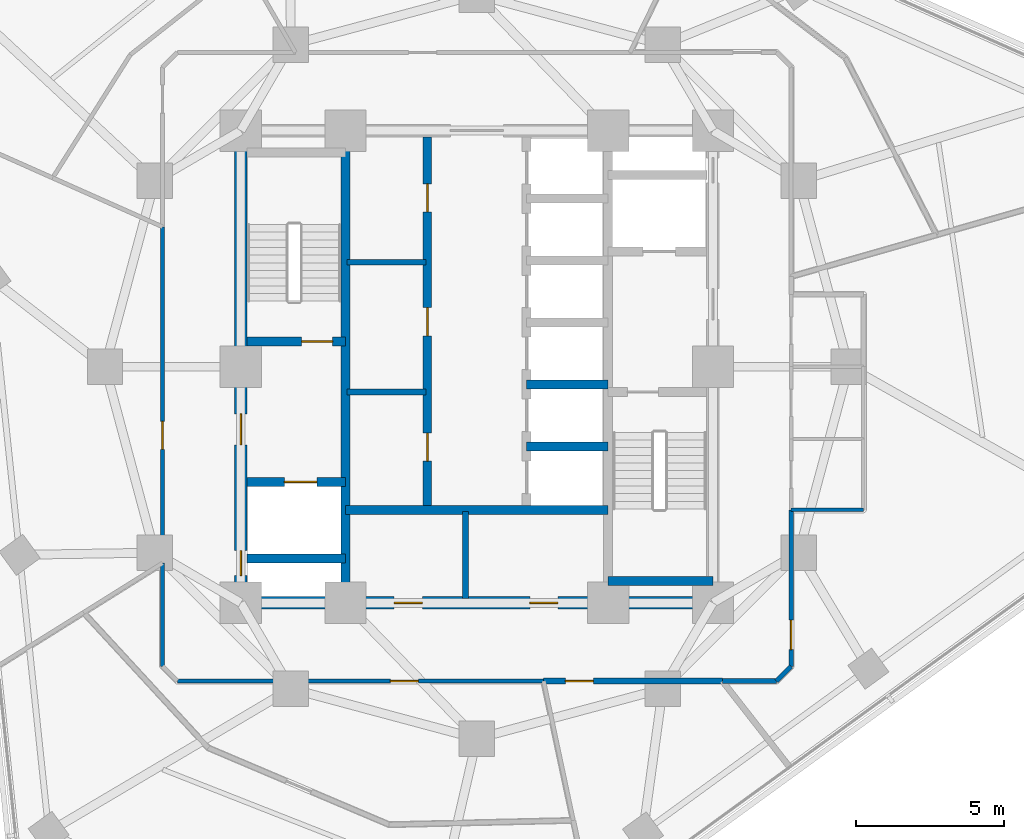
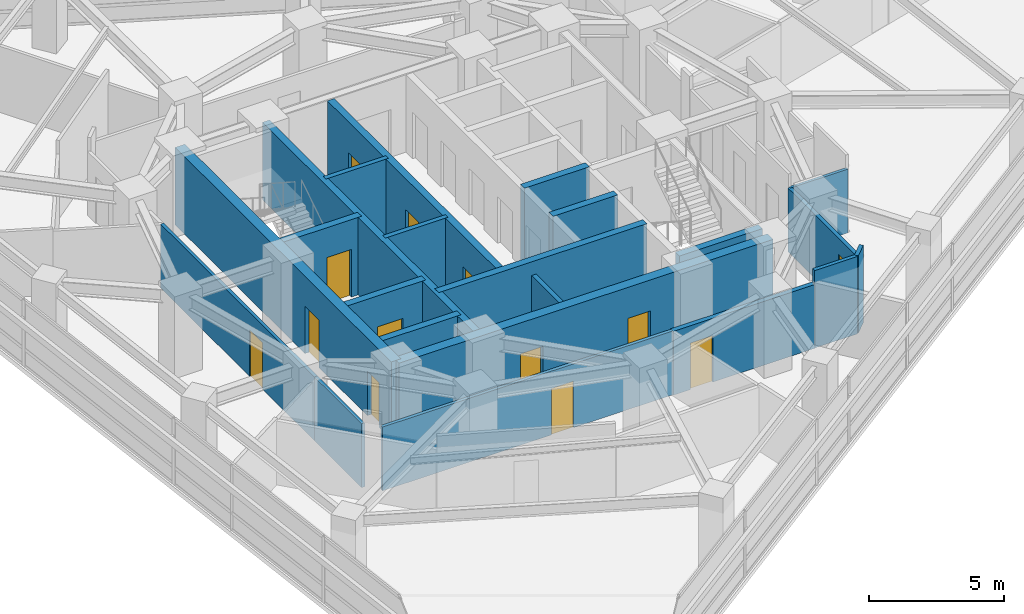
# One storey, part 8 of 14: 22 walls, 13 doors, 13 openings.
"""IFC4 building model written with IfcOpenShell, lengths in metres."""

from ifc_helpers import new_model, si_unit, direction, frame, frame_2d, origin, place, context, subcontext, project, spatial, rectangle, extrude, material, layer, layer_set, type_object, element, fill, save


model = new_model("IFC4")

# Units and contexts
model_context = context("Model", 3, precision=1e-05, world=origin(), true_north=direction((0.0, 1.0)))
body_context = subcontext(model_context, "Body", "Model", "MODEL_VIEW")
ifc_project = project(units=[si_unit("LENGTHUNIT", "METRE"), si_unit("AREAUNIT", "SQUARE_METRE"), si_unit("VOLUMEUNIT", "CUBIC_METRE"), si_unit("PLANEANGLEUNIT", "RADIAN"), si_unit("MASSUNIT", "GRAM", prefix="KILO")], contexts=[model_context])

# Site, building, storey
site_placement = place(None, origin())
site = spatial("IfcSite", under=ifc_project, at=site_placement, CompositionType="ELEMENT")
building_placement = place(site_placement, origin())
building = spatial("IfcBuilding", under=site, at=building_placement, Name="Terralouvre Media Tower", CompositionType="ELEMENT")
storey_placement = place(building_placement, frame((0.0, 0.0, 162.0)))
storey = spatial("IfcBuildingStorey", under=building, at=storey_placement, Name="L41", CompositionType="ELEMENT", Elevation=162.0)

# Wall
ifc_material_1 = material(Name="Concrete C50/60", Category="concrete")
ifc_layer_1 = layer(ifc_material_1, 0.300048828125, Name="Core Internal Shaft Wall CW-300")
ifc_layer_set_1 = layer_set([ifc_layer_1], Name="Concrete C50/60")
wall_type_1 = type_object("IfcWallType", Name="Core Internal Shaft Wall CW-300", PredefinedType="SHEAR", material=ifc_layer_set_1)
wall_1_placement = place(storey_placement, frame((-4.449951171875, -7.7900390625, 0.0), z_axis=(0.0, 0.0, 1.0), x_axis=(0.0, 1.0, 0.0)))
element("IfcWall", 1, at=wall_1_placement, inside=storey, type_object=wall_type_1, Name="L41 Core Shaft Wall SPW", PredefinedType="SHEAR", context=body_context, shape_type="SweptSolid", body=[
    extrude(rectangle(XDim=15.580078125, YDim=0.300048828125, at=frame_2d((7.7900390625, 0.0))), origin(), (0.0, 0.0, 1.0), 3.5),
])

# Wall, opening, door
wall_2_placement = place(storey_placement, frame((-7.7900390625, 0.85009765625, 0.0), z_axis=(0.0, 0.0, 1.0), x_axis=(1.0, 0.0, 0.0)))
wall_2 = element("IfcWall", 2, at=wall_2_placement, inside=storey, type_object=wall_type_1, Name="L41 Core Shaft Wall ST1D", PredefinedType="SHEAR", context=body_context, shape_type="SweptSolid", body=[
    extrude(rectangle(XDim=3.340087890625, YDim=0.300048828125, at=frame_2d((1.669921875, 0.0))), origin(), (0.0, 0.0, 1.0), 3.5),
])
opening_1_placement = place(wall_2_placement, frame((1.85009765625, 0.0, 0.0)))
opening_1 = element("IfcOpeningElement", 3, at=opening_1_placement, cuts=wall_2, Name="Opening FD-01-105X215", PredefinedType="OPENING", context=body_context, shape_type="SweptSolid", body=[
    extrude(rectangle(XDim=1.050048828125, YDim=2.14990234375, at=frame_2d((0.52490234375, 1.074951171875))), frame((0.0, 0.159912109375, 0.0), z_axis=(0.0, -1.0, 0.0), x_axis=(1.0, 0.0, 0.0)), (0.0, 0.0, 1.0), 0.320068359375),
])
ifc_material_2 = material(Name="Galvanised steel fire-resisting leaf", Category="steel")
door_type_1 = type_object("IfcDoorType", Name="Stair and Firefighting Lobby Fire Door FD-01 (1050x2150)", OperationType="NOTDEFINED", PredefinedType="DOOR", material=ifc_material_2)
door_1_placement = place(opening_1_placement, origin())
door_1 = element("IfcDoor", 4, at=door_1_placement, inside=storey, type_object=door_type_1, Name="L41 ST-01 Exit Stair Door", OperationType="SINGLE_SWING_LEFT", OverallHeight=2.14990234375, OverallWidth=1.050048828125, PredefinedType="DOOR", context=body_context, shape_type="SweptSolid", body=[
    extrude(rectangle(XDim=1.050048828125, YDim=2.14990234375, at=frame_2d((0.52490234375, 1.074951171875))), frame((0.0, 0.02490234375, 0.0), z_axis=(0.0, -1.0, 0.0), x_axis=(1.0, 0.0, 0.0)), (0.0, 0.0, 1.0), 0.050048828125),
])
fill(opening_1, door_1)

# Wall
wall_3_placement = place(storey_placement, frame((4.449951171875, -7.260009765625, 0.0), z_axis=(0.0, 0.0, 1.0), x_axis=(1.0, 0.0, 0.0)))
element("IfcWall", 5, at=wall_3_placement, inside=storey, type_object=wall_type_1, Name="L41 Core Shaft Wall ST2F", PredefinedType="SHEAR", context=body_context, shape_type="SweptSolid", body=[
    extrude(rectangle(XDim=3.550048828125, YDim=0.300048828125, at=frame_2d((1.77490234375, 0.0))), origin(), (0.0, 0.0, 1.0), 3.5),
])

# Wall, opening, door
wall_4_placement = place(storey_placement, frame((-7.7900390625, -3.89990234375, 0.0), z_axis=(0.0, 0.0, 1.0), x_axis=(1.0, 0.0, 0.0)))
wall_4 = element("IfcWall", 6, at=wall_4_placement, inside=storey, type_object=wall_type_1, Name="L41 Core Shaft Wall FF1N", PredefinedType="SHEAR", context=body_context, shape_type="SweptSolid", body=[
    extrude(rectangle(XDim=3.340087890625, YDim=0.300048828125, at=frame_2d((1.669921875, 0.0))), origin(), (0.0, 0.0, 1.0), 3.5),
])
opening_2_placement = place(wall_4_placement, frame((1.27001953125, 0.0, 0.0)))
opening_2 = element("IfcOpeningElement", 7, at=opening_2_placement, cuts=wall_4, Name="Opening LD-FF", PredefinedType="OPENING", context=body_context, shape_type="SweptSolid", body=[
    extrude(rectangle(XDim=1.10009765625, YDim=2.10009765625, at=frame_2d((0.550048828125, 1.050048828125))), frame((0.0, 0.159912109375, 0.0), z_axis=(0.0, -1.0, 0.0), x_axis=(1.0, 0.0, 0.0)), (0.0, 0.0, 1.0), 0.320068359375),
])
ifc_material_3 = material(Name="Stainless steel 316 handrail and balustrade", Category="steel")
door_type_2 = type_object("IfcDoorType", Name="Firefighting Lift Sliding Landing Door LD-FF", OperationType="SLIDING_TO_LEFT", PredefinedType="DOOR", material=ifc_material_3)
door_2_placement = place(opening_2_placement, origin())
door_2 = element("IfcDoor", 8, at=door_2_placement, inside=storey, type_object=door_type_2, Name="L41 Firefighting Lift FFL-01 Landing Door", OperationType="SLIDING_TO_LEFT", OverallHeight=2.10009765625, OverallWidth=1.10009765625, PredefinedType="DOOR", context=body_context, shape_type="SweptSolid", body=[
    extrude(rectangle(XDim=1.10009765625, YDim=2.10009765625, at=frame_2d((0.550048828125, 1.050048828125))), frame((0.0, 0.02490234375, 0.0), z_axis=(0.0, -1.0, 0.0), x_axis=(1.0, 0.0, 0.0)), (0.0, 0.0, 1.0), 0.050048828125),
])
fill(opening_2, door_2)

# Walls
wall_5_placement = place(storey_placement, frame((-7.7900390625, -6.5, 0.0), z_axis=(0.0, 0.0, 1.0), x_axis=(1.0, 0.0, 0.0)))
element("IfcWall", 9, at=wall_5_placement, inside=storey, type_object=wall_type_1, Name="L41 Core Shaft Wall FF1S", PredefinedType="SHEAR", context=body_context, shape_type="SweptSolid", body=[
    extrude(rectangle(XDim=3.340087890625, YDim=0.300048828125, at=frame_2d((1.669921875, 0.0))), origin(), (0.0, 0.0, 1.0), 3.5),
])
wall_6_placement = place(storey_placement, frame((-4.449951171875, -4.85009765625, 0.0), z_axis=(0.0, 0.0, 1.0), x_axis=(1.0, 0.0, 0.0)))
element("IfcWall", 10, at=wall_6_placement, inside=storey, type_object=wall_type_1, Name="L41 Core Shaft Wall CSBN", PredefinedType="SHEAR", context=body_context, shape_type="SweptSolid", body=[
    extrude(rectangle(XDim=8.89990234375, YDim=0.300048828125, at=frame_2d((4.449951171875, 0.0))), origin(), (0.0, 0.0, 1.0), 3.5),
])

# Wall, openings, doors
wall_7_placement = place(storey_placement, frame((-1.679931640625, -4.85009765625, 0.0), z_axis=(0.0, 0.0, 1.0), x_axis=(0.0, 1.0, 0.0)))
wall_7 = element("IfcWall", 11, at=wall_7_placement, inside=storey, type_object=wall_type_1, Name="L41 Core Shaft Wall LBW", PredefinedType="SHEAR", context=body_context, shape_type="SweptSolid", body=[
    extrude(rectangle(XDim=12.64013671875, YDim=0.300048828125, at=frame_2d((6.320068359375, 0.0))), origin(), (0.0, 0.0, 1.0), 3.5),
])
opening_3_placement = place(wall_7_placement, frame((1.64990234375, 0.0, 0.0)))
opening_3 = element("IfcOpeningElement", 12, at=opening_3_placement, cuts=wall_7, Name="Opening FD-02-95X210", PredefinedType="OPENING", context=body_context, shape_type="SweptSolid", body=[
    extrude(rectangle(XDim=0.949951171875, YDim=2.10009765625, at=frame_2d((0.47509765625, 1.050048828125))), frame((0.0, 0.159912109375, 0.0), z_axis=(0.0, -1.0, 0.0), x_axis=(1.0, 0.0, 0.0)), (0.0, 0.0, 1.0), 0.320068359375),
])
opening_4_placement = place(wall_7_placement, frame((5.89990234375, 0.0, 0.0)))
opening_4 = element("IfcOpeningElement", 13, at=opening_4_placement, cuts=wall_7, Name="Opening SD-02", PredefinedType="OPENING", context=body_context, shape_type="SweptSolid", body=[
    extrude(rectangle(XDim=0.949951171875, YDim=2.10009765625, at=frame_2d((0.47509765625, 1.050048828125))), frame((0.0, 0.159912109375, 0.0), z_axis=(0.0, -1.0, 0.0), x_axis=(1.0, 0.0, 0.0)), (0.0, 0.0, 1.0), 0.320068359375),
])
opening_5_placement = place(wall_7_placement, frame((10.10009765625, 0.0, 0.0)))
opening_5 = element("IfcOpeningElement", 14, at=opening_5_placement, cuts=wall_7, Name="Opening FD-02-95X210", PredefinedType="OPENING", context=body_context, shape_type="SweptSolid", body=[
    extrude(rectangle(XDim=0.949951171875, YDim=2.10009765625, at=frame_2d((0.47509765625, 1.050048828125))), frame((0.0, 0.159912109375, 0.0), z_axis=(0.0, -1.0, 0.0), x_axis=(1.0, 0.0, 0.0)), (0.0, 0.0, 1.0), 0.320068359375),
])
ifc_material_4 = material(Name="Galvanised steel fire-resisting leaf", Category="steel")
door_type_3 = type_object("IfcDoorType", Name="Core Service Sliding Fire Door SD-02", OperationType="SLIDING_TO_LEFT", PredefinedType="DOOR", material=ifc_material_4)
door_3_placement = place(opening_4_placement, origin())
door_3 = element("IfcDoor", 15, at=door_3_placement, inside=storey, type_object=door_type_3, Name="L41 Core Pantry Store Door", OperationType="SLIDING_TO_LEFT", OverallHeight=2.10009765625, OverallWidth=0.949951171875, PredefinedType="DOOR", context=body_context, shape_type="SweptSolid", body=[
    extrude(rectangle(XDim=0.949951171875, YDim=2.10009765625, at=frame_2d((0.47509765625, 1.050048828125))), frame((0.0, 0.02490234375, 0.0), z_axis=(0.0, -1.0, 0.0), x_axis=(1.0, 0.0, 0.0)), (0.0, 0.0, 1.0), 0.050048828125),
])
fill(opening_4, door_3)
ifc_material_5 = material(Name="Galvanised steel fire-resisting leaf", Category="steel")
door_type_4 = type_object("IfcDoorType", Name="Plant and Riser Fire Door FD-02 (950x2100)", OperationType="NOTDEFINED", PredefinedType="DOOR", material=ifc_material_5)
door_4_placement = place(opening_3_placement, origin())
door_4 = element("IfcDoor", 16, at=door_4_placement, inside=storey, type_object=door_type_4, Name="L41 Core UPS Switch Plant Door", OperationType="SINGLE_SWING_LEFT", OverallHeight=2.10009765625, OverallWidth=0.949951171875, PredefinedType="DOOR", context=body_context, shape_type="SweptSolid", body=[
    extrude(rectangle(XDim=0.949951171875, YDim=2.10009765625, at=frame_2d((0.47509765625, 1.050048828125))), frame((0.0, 0.02490234375, 0.0), z_axis=(0.0, -1.0, 0.0), x_axis=(1.0, 0.0, 0.0)), (0.0, 0.0, 1.0), 0.050048828125),
])
fill(opening_3, door_4)
door_5_placement = place(opening_5_placement, origin())
door_5 = element("IfcDoor", 17, at=door_5_placement, inside=storey, type_object=door_type_4, Name="L41 Core Edge Server Plant Door", OperationType="SINGLE_SWING_RIGHT", OverallHeight=2.10009765625, OverallWidth=0.949951171875, PredefinedType="DOOR", context=body_context, shape_type="SweptSolid", body=[
    extrude(rectangle(XDim=0.949951171875, YDim=2.10009765625, at=frame_2d((0.47509765625, 1.050048828125))), frame((0.0, 0.02490234375, 0.0), z_axis=(0.0, -1.0, 0.0), x_axis=(1.0, 0.0, 0.0)), (0.0, 0.0, 1.0), 0.050048828125),
])
fill(opening_5, door_5)

# Walls
for number, where, z_axis, x_axis, name in (
    (18, (1.679931640625, -2.699951171875, 0.0), (0.0, 0.0, 1.0), (1.0, 0.0, 0.0), "L41 Core Shaft Wall PLHD1"),
    (19, (1.679931640625, -0.60009765625, 0.0), (0.0, 0.0, 1.0), (1.0, 0.0, 0.0), "L41 Core Shaft Wall PLHD2"),
):
    element("IfcWall", number, at=place(storey_placement, frame(where, z_axis=z_axis, x_axis=x_axis)), inside=storey, type_object=wall_type_1, Name=name, PredefinedType="SHEAR", context=body_context, shape_type="SweptSolid", body=[
        extrude(rectangle(XDim=2.77001953125, YDim=0.300048828125, at=frame_2d((1.385009765625, 0.0))), origin(), (0.0, 0.0, 1.0), 3.5),
    ])

# Wall, openings, doors
ifc_material_6 = material(Name="Concrete C60/75", Category="concrete")
ifc_layer_2 = layer(ifc_material_6, 0.419921875, Name="Core Reinforced Concrete Shear Wall CW-420")
ifc_layer_set_2 = layer_set([ifc_layer_2], Name="Concrete C60/75")
wall_type_2 = type_object("IfcWallType", Name="Core Reinforced Concrete Shear Wall CW-420", PredefinedType="SHEAR", material=ifc_layer_set_2)
wall_8_placement = place(storey_placement, frame((-8.0, -8.0, 0.0), z_axis=(0.0, 0.0, 1.0), x_axis=(0.0, 1.0, 0.0)))
wall_8 = element("IfcWall", 20, at=wall_8_placement, inside=storey, type_object=wall_type_2, Name="L41 W Core Shear Wall", PredefinedType="SHEAR", context=body_context, shape_type="SweptSolid", body=[
    extrude(rectangle(XDim=16.0, YDim=0.419921875, at=frame_2d((8.0, 0.0))), origin(), (0.0, 0.0, 1.0), 3.5),
])
opening_6_placement = place(wall_8_placement, frame((0.921630859375, 0.0, 0.0)))
opening_6 = element("IfcOpeningElement", 21, at=opening_6_placement, cuts=wall_8, Name="Opening TD-R1", PredefinedType="OPENING", context=body_context, shape_type="SweptSolid", body=[
    extrude(rectangle(XDim=0.85009765625, YDim=2.02001953125, at=frame_2d((0.425048828125, 1.010009765625))), frame((0.0, 0.219970703125, 0.0), z_axis=(0.0, -1.0, 0.0), x_axis=(1.0, 0.0, 0.0)), (0.0, 0.0, 1.0), 0.43994140625),
])
opening_7_placement = place(wall_8_placement, frame((5.35009765625, 0.0, 0.0)))
opening_7 = element("IfcOpeningElement", 22, at=opening_7_placement, cuts=wall_8, Name="Opening FD-01-105X215", PredefinedType="OPENING", context=body_context, shape_type="SweptSolid", body=[
    extrude(rectangle(XDim=1.050048828125, YDim=2.14990234375, at=frame_2d((0.52490234375, 1.074951171875))), frame((0.0, 0.219970703125, 0.0), z_axis=(0.0, -1.0, 0.0), x_axis=(1.0, 0.0, 0.0)), (0.0, 0.0, 1.0), 0.43994140625),
])
ifc_material_7 = material(Name="Galvanised steel fire-resisting leaf", Category="steel")
door_type_5 = type_object("IfcDoorType", Name="Riser Inspection Access Trapdoor TD-R1", OperationType="NOTDEFINED", PredefinedType="TRAPDOOR", material=ifc_material_7)
door_6_placement = place(opening_6_placement, origin())
door_6 = element("IfcDoor", 23, at=door_6_placement, inside=storey, type_object=door_type_5, Name="L41 Wet Riser Access Trapdoor", OperationType="SINGLE_SWING_LEFT", OverallHeight=2.02001953125, OverallWidth=0.85009765625, PredefinedType="TRAPDOOR", context=body_context, shape_type="SweptSolid", body=[
    extrude(rectangle(XDim=0.85009765625, YDim=2.02001953125, at=frame_2d((0.425048828125, 1.010009765625))), frame((0.0, 0.02490234375, 0.0), z_axis=(0.0, -1.0, 0.0), x_axis=(1.0, 0.0, 0.0)), (0.0, 0.0, 1.0), 0.050048828125),
])
fill(opening_6, door_6)
door_7_placement = place(opening_7_placement, origin())
door_7 = element("IfcDoor", 24, at=door_7_placement, inside=storey, type_object=door_type_1, Name="L41 West Firefighting Lobby Entry Door", OperationType="SINGLE_SWING_RIGHT", OverallHeight=2.14990234375, OverallWidth=1.050048828125, PredefinedType="DOOR", context=body_context, shape_type="SweptSolid", body=[
    extrude(rectangle(XDim=1.050048828125, YDim=2.14990234375, at=frame_2d((0.52490234375, 1.074951171875))), frame((0.0, 0.02490234375, 0.0), z_axis=(0.0, -1.0, 0.0), x_axis=(1.0, 0.0, 0.0)), (0.0, 0.0, 1.0), 0.050048828125),
])
fill(opening_7, door_7)

wall_9_placement = place(storey_placement, frame((-8.0, -8.0, 0.0), z_axis=(0.0, 0.0, 1.0), x_axis=(1.0, 0.0, 0.0)))
wall_9 = element("IfcWall", 25, at=wall_9_placement, inside=storey, type_object=wall_type_2, Name="L41 S Core Shear Wall", PredefinedType="SHEAR", context=body_context, shape_type="SweptSolid", body=[
    extrude(rectangle(XDim=16.0, YDim=0.419921875, at=frame_2d((8.0, 0.0))), origin(), (0.0, 0.0, 1.0), 3.5),
])
opening_8_placement = place(wall_9_placement, frame((5.199951171875, 0.0, 0.0)))
opening_8 = element("IfcOpeningElement", 26, at=opening_8_placement, cuts=wall_9, Name="Opening FD-02-95X210", PredefinedType="OPENING", context=body_context, shape_type="SweptSolid", body=[
    extrude(rectangle(XDim=0.949951171875, YDim=2.10009765625, at=frame_2d((0.47509765625, 1.050048828125))), frame((0.0, 0.219970703125, 0.0), z_axis=(0.0, -1.0, 0.0), x_axis=(1.0, 0.0, 0.0)), (0.0, 0.0, 1.0), 0.43994140625),
])
opening_9_placement = place(wall_9_placement, frame((9.800048828125, 0.0, 0.0)))
opening_9 = element("IfcOpeningElement", 27, at=opening_9_placement, cuts=wall_9, Name="Opening FD-02-95X210", PredefinedType="OPENING", context=body_context, shape_type="SweptSolid", body=[
    extrude(rectangle(XDim=0.949951171875, YDim=2.10009765625, at=frame_2d((0.47509765625, 1.050048828125))), frame((0.0, 0.219970703125, 0.0), z_axis=(0.0, -1.0, 0.0), x_axis=(1.0, 0.0, 0.0)), (0.0, 0.0, 1.0), 0.43994140625),
])
door_8_placement = place(opening_8_placement, origin())
door_8 = element("IfcDoor", 28, at=door_8_placement, inside=storey, type_object=door_type_4, Name="L41 Core Valve Plant Door", OperationType="SINGLE_SWING_LEFT", OverallHeight=2.10009765625, OverallWidth=0.949951171875, PredefinedType="DOOR", context=body_context, shape_type="SweptSolid", body=[
    extrude(rectangle(XDim=0.949951171875, YDim=2.10009765625, at=frame_2d((0.47509765625, 1.050048828125))), frame((0.0, 0.02490234375, 0.0), z_axis=(0.0, -1.0, 0.0), x_axis=(1.0, 0.0, 0.0)), (0.0, 0.0, 1.0), 0.050048828125),
])
fill(opening_8, door_8)
door_9_placement = place(opening_9_placement, origin())
door_9 = element("IfcDoor", 29, at=door_9_placement, inside=storey, type_object=door_type_4, Name="L41 Core MDF Plant Door", OperationType="SINGLE_SWING_RIGHT", OverallHeight=2.10009765625, OverallWidth=0.949951171875, PredefinedType="DOOR", context=body_context, shape_type="SweptSolid", body=[
    extrude(rectangle(XDim=0.949951171875, YDim=2.10009765625, at=frame_2d((0.47509765625, 1.050048828125))), frame((0.0, 0.02490234375, 0.0), z_axis=(0.0, -1.0, 0.0), x_axis=(1.0, 0.0, 0.0)), (0.0, 0.0, 1.0), 0.050048828125),
])
fill(opening_9, door_9)

# Walls
ifc_material_8 = material(Name="Fire-rated gypsum board drywall partition")
ifc_layer_3 = layer(ifc_material_8, 0.199951171875, Name="Fire-Rated Shaft and Lobby Partition FW-200")
ifc_layer_set_3 = layer_set([ifc_layer_3], Name="Fire-rated gypsum board drywall partition")
wall_type_3 = type_object("IfcWallType", Name="Fire-Rated Shaft and Lobby Partition FW-200", PredefinedType="SOLIDWALL", material=ifc_layer_set_3)
wall_10_placement = place(storey_placement, frame((-0.3798828125, -7.85009765625, 0.0), z_axis=(0.0, 0.0, 1.0), x_axis=(0.0, 1.0, 0.0)))
element("IfcWall", 30, at=wall_10_placement, inside=storey, type_object=wall_type_3, Name="L41 Core Service Bay Partition 1", PredefinedType="SOLIDWALL", context=body_context, shape_type="SweptSolid", body=[
    extrude(rectangle(XDim=2.9501953125, YDim=0.199951171875, at=frame_2d((1.47509765625, 0.0))), origin(), (0.0, 0.0, 1.0), 2.885009765625),
])
for number, where, z_axis, x_axis, name in (
    (31, (-4.39990234375, -0.860107421875, 0.0), (0.0, 0.0, 1.0), (1.0, 0.0, 0.0), "L41 Core West Sub-Partition 1"),
    (32, (-4.39990234375, 3.5400390625, 0.0), (0.0, 0.0, 1.0), (1.0, 0.0, 0.0), "L41 Core West Sub-Partition 2"),
):
    element("IfcWall", number, at=place(storey_placement, frame(where, z_axis=z_axis, x_axis=x_axis)), inside=storey, type_object=wall_type_3, Name=name, PredefinedType="SOLIDWALL", context=body_context, shape_type="SweptSolid", body=[
        extrude(rectangle(XDim=2.679931640625, YDim=0.199951171875, at=frame_2d((1.33984375, 0.0))), origin(), (0.0, 0.0, 1.0), 3.5),
    ])

# Wall, opening, door
wall_11_placement = place(storey_placement, frame((2.263916015625, -10.64990234375, 0.0), z_axis=(0.0, 0.0, 1.0), x_axis=(1.0, 0.0, 0.0)))
wall_11 = element("IfcWall", 33, at=wall_11_placement, inside=storey, type_object=wall_type_3, Name="L41 Interior Partition 005", PredefinedType="SOLIDWALL", context=body_context, shape_type="SweptSolid", body=[
    extrude(rectangle(XDim=6.05712890625, YDim=0.199951171875, at=frame_2d((3.028564453125, 0.0))), origin(), (0.0, 0.0, 1.0), 2.885009765625),
])
opening_10_placement = place(wall_11_placement, frame((0.736328125, 0.0, 0.0)))
opening_10 = element("IfcOpeningElement", 34, at=opening_10_placement, cuts=wall_11, Name="Opening FD-02-95X210", PredefinedType="OPENING", context=body_context, shape_type="SweptSolid", body=[
    extrude(rectangle(XDim=0.949951171875, YDim=2.10009765625, at=frame_2d((0.47509765625, 1.050048828125))), frame((0.0, 0.10986328125, 0.0), z_axis=(0.0, -1.0, 0.0), x_axis=(1.0, 0.0, 0.0)), (0.0, 0.0, 1.0), 0.219970703125),
])
door_10_placement = place(opening_10_placement, origin())
door_10 = element("IfcDoor", 35, at=door_10_placement, inside=storey, type_object=door_type_4, Name="L41 Lighting Dimmer Switch Room 4 Door", OperationType="SINGLE_SWING_RIGHT", OverallHeight=2.10009765625, OverallWidth=0.949951171875, PredefinedType="DOOR", context=body_context, shape_type="SweptSolid", body=[
    extrude(rectangle(XDim=0.949951171875, YDim=2.10009765625, at=frame_2d((0.47509765625, 1.050048828125))), frame((0.0, 0.02490234375, 0.0), z_axis=(0.0, -1.0, 0.0), x_axis=(1.0, 0.0, 0.0)), (0.0, 0.0, 1.0), 0.050048828125),
])
fill(opening_10, door_10)

ifc_material_9 = material(Name="Fire-rated gypsum board drywall partition")
ifc_layer_4 = layer(ifc_material_9, 0.135009765625, Name="Newsroom Acoustic Partition PT-135")
ifc_layer_set_4 = layer_set([ifc_layer_4], Name="Fire-rated gypsum board drywall partition")
wall_type_4 = type_object("IfcWallType", Name="Newsroom Acoustic Partition PT-135", PredefinedType="PARTITIONING", material=ifc_layer_set_4)
wall_12_placement = place(storey_placement, frame((-10.64990234375, 4.741943359375, 0.0), z_axis=(0.0, 0.0, 1.0), x_axis=(0.0, -1.0, 0.0)))
wall_12 = element("IfcWall", 36, at=wall_12_placement, inside=storey, type_object=wall_type_4, Name="L41 Interior Partition 001", PredefinedType="PARTITIONING", context=body_context, shape_type="SweptSolid", body=[
    extrude(rectangle(XDim=11.39697265625, YDim=0.135009765625, at=frame_2d((5.698486328125, 0.0))), origin(), (0.0, 0.0, 1.0), 2.885009765625),
])
opening_11_placement = place(wall_12_placement, frame((6.591064453125, 0.0, 0.0)))
opening_11 = element("IfcOpeningElement", 37, at=opening_11_placement, cuts=wall_12, Name="Opening ID-02-95X210", PredefinedType="OPENING", context=body_context, shape_type="SweptSolid", body=[
    extrude(rectangle(XDim=0.949951171875, YDim=2.10009765625, at=frame_2d((0.47509765625, 1.050048828125))), frame((0.0, 0.077392578125, 0.0), z_axis=(0.0, -1.0, 0.0), x_axis=(1.0, 0.0, 0.0)), (0.0, 0.0, 1.0), 0.155029296875),
])
ifc_material_10 = material(Name="Engineered hardwood acoustic timber leaf", Category="wood")
door_type_6 = type_object("IfcDoorType", Name="Office and Meeting Room Door ID-02 (950x2100)", OperationType="NOTDEFINED", PredefinedType="DOOR", material=ifc_material_10)
door_11_placement = place(opening_11_placement, origin())
door_11 = element("IfcDoor", 38, at=door_11_placement, inside=storey, type_object=door_type_6, Name="L41 Equipment Locker 1 Door", OperationType="SINGLE_SWING_RIGHT", OverallHeight=2.10009765625, OverallWidth=0.949951171875, PredefinedType="DOOR", context=body_context, shape_type="SweptSolid", body=[
    extrude(rectangle(XDim=0.949951171875, YDim=2.10009765625, at=frame_2d((0.47509765625, 1.050048828125))), frame((0.0, 0.02490234375, 0.0), z_axis=(0.0, -1.0, 0.0), x_axis=(1.0, 0.0, 0.0)), (0.0, 0.0, 1.0), 0.050048828125),
])
fill(opening_11, door_11)

# Wall
wall_13_placement = place(storey_placement, frame((-10.64990234375, -6.655029296875, 0.0), z_axis=(0.0, 0.0, 1.0), x_axis=(0.0, -1.0, 0.0)))
element("IfcWall", 39, at=wall_13_placement, inside=storey, type_object=wall_type_4, Name="L41 Interior Partition 002", PredefinedType="PARTITIONING", context=body_context, shape_type="SweptSolid", body=[
    extrude(rectangle(XDim=3.494873046875, YDim=0.135009765625, at=frame_2d((1.74755859375, 0.0))), origin(), (0.0, 0.0, 1.0), 2.885009765625),
])

# Wall, opening, door
wall_14_placement = place(storey_placement, frame((-10.14990234375, -10.64990234375, 0.0), z_axis=(0.0, 0.0, 1.0), x_axis=(1.0, 0.0, 0.0)))
wall_14 = element("IfcWall", 40, at=wall_14_placement, inside=storey, type_object=wall_type_4, Name="L41 Interior Partition 004", PredefinedType="PARTITIONING", context=body_context, shape_type="SweptSolid", body=[
    extrude(rectangle(XDim=12.413818359375, YDim=0.135009765625, at=frame_2d((6.20703125, 0.0))), origin(), (0.0, 0.0, 1.0), 2.885009765625),
])
opening_12_placement = place(wall_14_placement, frame((7.2216796875, 0.0, 0.0)))
opening_12 = element("IfcOpeningElement", 41, at=opening_12_placement, cuts=wall_14, Name="Opening ID-02-95X210", PredefinedType="OPENING", context=body_context, shape_type="SweptSolid", body=[
    extrude(rectangle(XDim=0.949951171875, YDim=2.10009765625, at=frame_2d((0.47509765625, 1.050048828125))), frame((0.0, 0.077392578125, 0.0), z_axis=(0.0, -1.0, 0.0), x_axis=(1.0, 0.0, 0.0)), (0.0, 0.0, 1.0), 0.155029296875),
])
door_12_placement = place(opening_12_placement, origin())
door_12 = element("IfcDoor", 42, at=door_12_placement, inside=storey, type_object=door_type_6, Name="L41 Broadcast Floor Crew Room 3 Door", OperationType="SINGLE_SWING_LEFT", OverallHeight=2.10009765625, OverallWidth=0.949951171875, PredefinedType="DOOR", context=body_context, shape_type="SweptSolid", body=[
    extrude(rectangle(XDim=0.949951171875, YDim=2.10009765625, at=frame_2d((0.47509765625, 1.050048828125))), frame((0.0, 0.02490234375, 0.0), z_axis=(0.0, -1.0, 0.0), x_axis=(1.0, 0.0, 0.0)), (0.0, 0.0, 1.0), 0.050048828125),
])
fill(opening_12, door_12)

# Walls
ifc_material_11 = material(Name="Fire-rated gypsum board drywall partition")
ifc_layer_5 = layer(ifc_material_11, 0.114990234375, Name="Restroom and Pantry Partition PT-115")
ifc_layer_set_5 = layer_set([ifc_layer_5], Name="Fire-rated gypsum board drywall partition")
wall_type_5 = type_object("IfcWallType", Name="Restroom and Pantry Partition PT-115", PredefinedType="PARTITIONING", material=ifc_layer_set_5)
wall_15_placement = place(storey_placement, frame((10.64990234375, -4.85009765625, 0.0), z_axis=(0.0, 0.0, 1.0), x_axis=(1.0, 0.0, 0.0)))
element("IfcWall", 43, at=wall_15_placement, inside=storey, type_object=wall_type_5, Name="L41 Interior Partition 031", PredefinedType="PARTITIONING", context=body_context, shape_type="SweptSolid", body=[
    extrude(rectangle(XDim=2.4501953125, YDim=0.114990234375, at=frame_2d((1.22509765625, 0.0))), origin(), (0.0, 0.0, 1.0), 2.885009765625),
])
ifc_material_12 = material(Name="Fire-rated gypsum board drywall partition")
ifc_layer_6 = layer(ifc_material_12, 0.159912109375, Name="Studio Acoustic Rated Partition PT-160")
ifc_layer_set_6 = layer_set([ifc_layer_6], Name="Fire-rated gypsum board drywall partition")
wall_type_6 = type_object("IfcWallType", Name="Studio Acoustic Rated Partition PT-160", PredefinedType="PARTITIONING", material=ifc_layer_set_6)
wall_16_placement = place(storey_placement, frame((8.321044921875, -10.64990234375, 0.0), z_axis=(0.0, 0.0, 1.0), x_axis=(1.0, 0.0, 0.0)))
element("IfcWall", 44, at=wall_16_placement, inside=storey, type_object=wall_type_6, Name="L41 Interior Partition 008", PredefinedType="PARTITIONING", context=body_context, shape_type="SweptSolid", body=[
    extrude(rectangle(XDim=1.828857421875, YDim=0.159912109375, at=frame_2d((0.91455078125, 0.0))), origin(), (0.0, 0.0, 1.0), 3.5),
])
wall_17_placement = place(storey_placement, frame((10.14990234375, -10.64990234375, 0.0), z_axis=(0.0, 0.0, 1.0), x_axis=(0.707106781187, 0.707106781187, 0.0)))
element("IfcWall", 45, at=wall_17_placement, inside=storey, type_object=wall_type_6, Name="L41 Interior Partition 009", PredefinedType="PARTITIONING", context=body_context, shape_type="SweptSolid", body=[
    extrude(rectangle(XDim=0.70703125, YDim=0.159912109375, at=frame_2d((0.353515625, 0.0))), origin(), (0.0, 0.0, 1.0), 3.5),
])

# Wall, opening, door
wall_18_placement = place(storey_placement, frame((10.64990234375, -10.14990234375, 0.0), z_axis=(0.0, 0.0, 1.0), x_axis=(0.0, 1.0, 0.0)))
wall_18 = element("IfcWall", 46, at=wall_18_placement, inside=storey, type_object=wall_type_6, Name="L41 Interior Partition 010", PredefinedType="PARTITIONING", context=body_context, shape_type="SweptSolid", body=[
    extrude(rectangle(XDim=5.2998046875, YDim=0.159912109375, at=frame_2d((2.64990234375, 0.0))), origin(), (0.0, 0.0, 1.0), 2.885009765625),
])
opening_13_placement = place(wall_18_placement, frame((0.56005859375, 0.0, 0.0)))
opening_13 = element("IfcOpeningElement", 47, at=opening_13_placement, cuts=wall_18, Name="Opening ID-01-100X215", PredefinedType="OPENING", context=body_context, shape_type="SweptSolid", body=[
    extrude(rectangle(XDim=1.0, YDim=2.14990234375, at=frame_2d((0.5, 1.074951171875))), frame((0.0, 0.08984375, 0.0), z_axis=(0.0, -1.0, 0.0), x_axis=(1.0, 0.0, 0.0)), (0.0, 0.0, 1.0), 0.179931640625),
])
ifc_material_13 = material(Name="Engineered hardwood acoustic timber leaf", Category="wood")
door_type_7 = type_object("IfcDoorType", Name="Broadcast Studio Acoustic Single Door ID-01 (1000x2150)", OperationType="NOTDEFINED", PredefinedType="DOOR", material=ifc_material_13)
door_13_placement = place(opening_13_placement, origin())
door_13 = element("IfcDoor", 48, at=door_13_placement, inside=storey, type_object=door_type_7, Name="L41 Preview Screening Cinema 5 Door", OperationType="SINGLE_SWING_LEFT", OverallHeight=2.14990234375, OverallWidth=1.0, PredefinedType="DOOR", context=body_context, shape_type="SweptSolid", body=[
    extrude(rectangle(XDim=1.0, YDim=2.14990234375, at=frame_2d((0.5, 1.074951171875))), frame((0.0, 0.02490234375, 0.0), z_axis=(0.0, -1.0, 0.0), x_axis=(1.0, 0.0, 0.0)), (0.0, 0.0, 1.0), 0.050048828125),
])
fill(opening_13, door_13)

save(model, "model.ifc")
